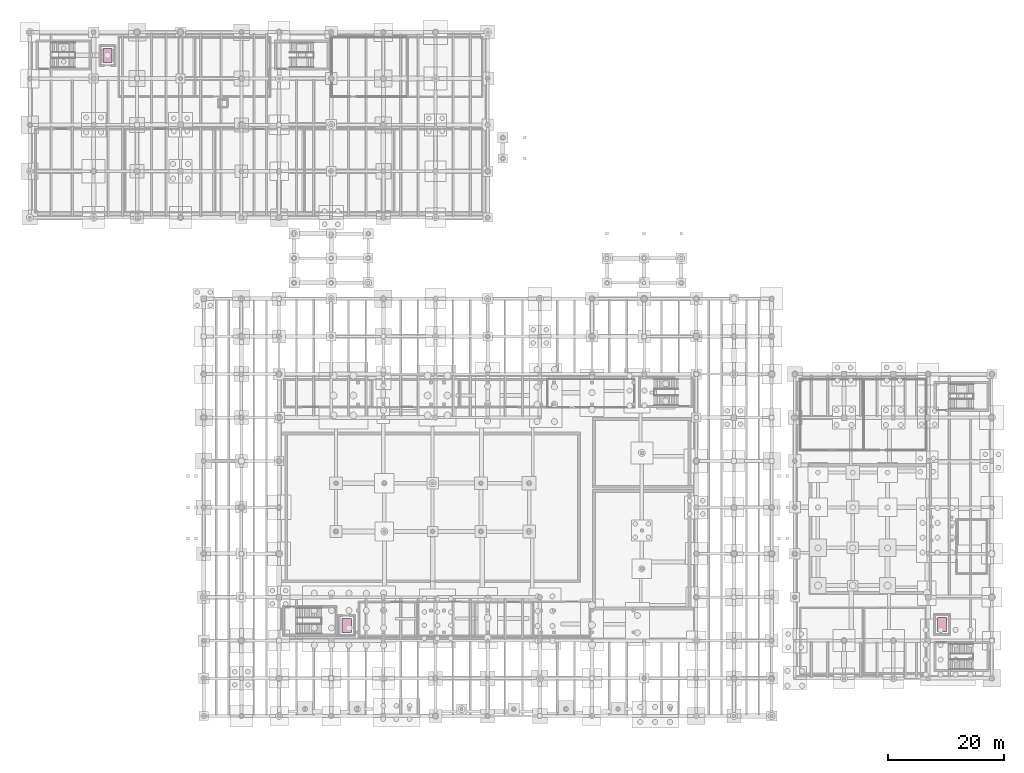
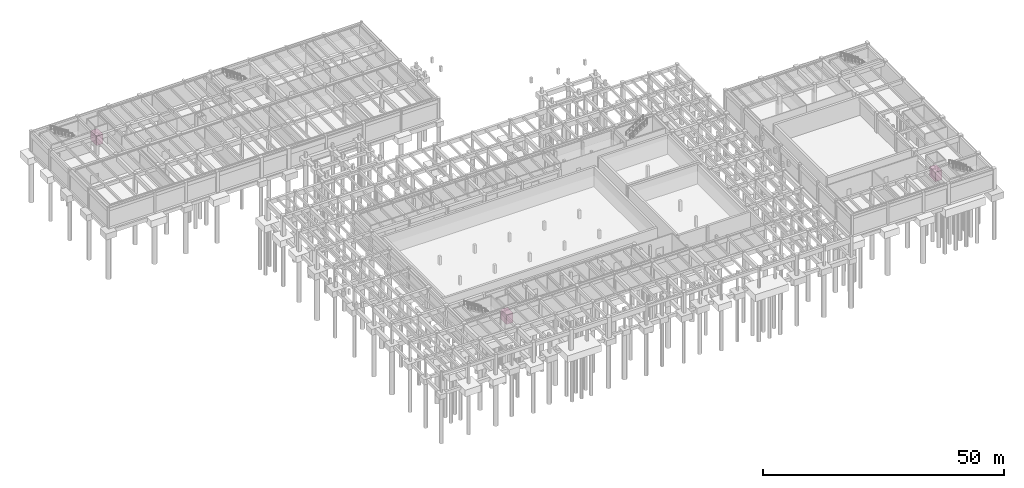
# One storey, part 36 of 36: 3 transport elements.
"""IFC4 building model written with IfcOpenShell, lengths in metres."""

from ifc_helpers import new_model, si_unit, direction, frame, origin, origin_2d, place, context, subcontext, project, spatial, rectangle, extrude, material, type_object, element, save


model = new_model("IFC4")

# Units and contexts
model_context = context("Model", 3, precision=1e-05, world=origin(), true_north=direction((0.0, 1.0)))
body_context = subcontext(model_context, "Body", "Model", "MODEL_VIEW")
ifc_project = project(units=[si_unit("LENGTHUNIT", "METRE"), si_unit("AREAUNIT", "SQUARE_METRE"), si_unit("VOLUMEUNIT", "CUBIC_METRE"), si_unit("PLANEANGLEUNIT", "RADIAN"), si_unit("MASSUNIT", "GRAM", prefix="KILO"), si_unit("THERMODYNAMICTEMPERATUREUNIT", "KELVIN"), si_unit("POWERUNIT", "WATT")], contexts=[model_context])

# Site, building, storey
site_placement = place(None, origin())
site = spatial("IfcSite", under=ifc_project, at=site_placement, CompositionType="ELEMENT")
building_placement = place(site_placement, origin())
building = spatial("IfcBuilding", under=site, at=building_placement, Name="Tepalcoro Natatorium and Aquatics Centre", CompositionType="ELEMENT")
storey_placement = place(building_placement, frame((0.0, 0.0, -5.199951171875)))
storey = spatial("IfcBuildingStorey", under=building, at=storey_placement, Name="B1", CompositionType="ELEMENT", Elevation=-5.199951171875)

# Transport elements
ifc_material = material(Name="Marine-Grade Brushed Stainless Steel AISI 316L", Category="steel")
transport_element_type = type_object("IfcTransportElementType", Name="LIFT_160x240", PredefinedType="ELEVATOR", material=ifc_material)
for number, where, z_axis, x_axis, name in (
    (1, (64.699951171875, 15.60009765625, 0.0), (0.0, 0.0, 1.0), (1.0, 0.0, 0.0), "Natatorium Stretcher & Athlete Lift (LF01)"),
    (2, (167.39990234375, 15.800048828125, 0.0), (0.0, 0.0, 1.0), (1.0, 0.0, 0.0), "Diving Tower Stretcher & Firefighting Lift (LF02)"),
    (3, (23.39990234375, 114.0, 0.0), (0.0, 0.0, 1.0), (1.0, 0.0, 0.0), "Hydrotherapy Stretcher & Goods Lift (LF04)"),
):
    element("IfcTransportElement", number, at=place(storey_placement, frame(where, z_axis=z_axis, x_axis=x_axis)), inside=storey, type_object=transport_element_type, Name=name, PredefinedType="ELEVATOR", context=body_context, shape_type="SweptSolid", body=[
        extrude(rectangle(XDim=1.60009765625, YDim=2.39990234375, at=origin_2d()), origin(), (0.0, 0.0, 1.0), 2.39990234375),
    ])

save(model, "model.ifc")
